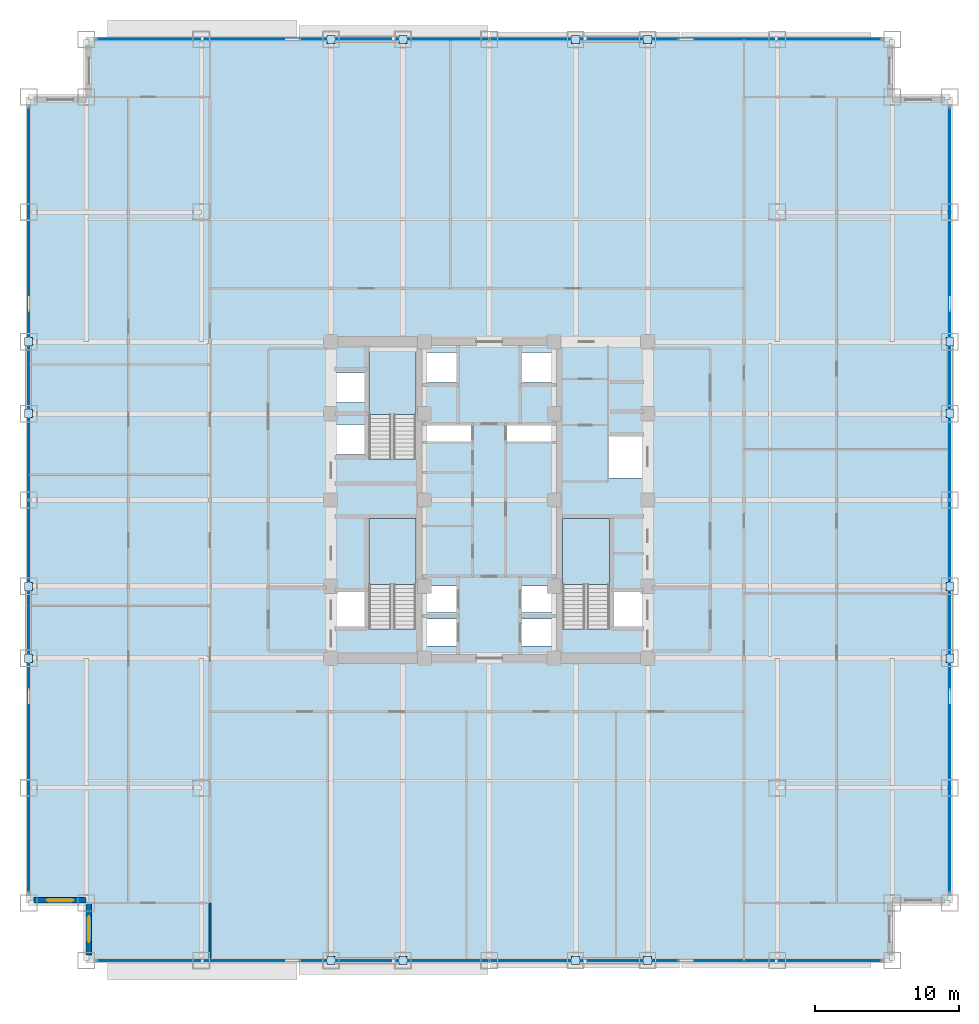
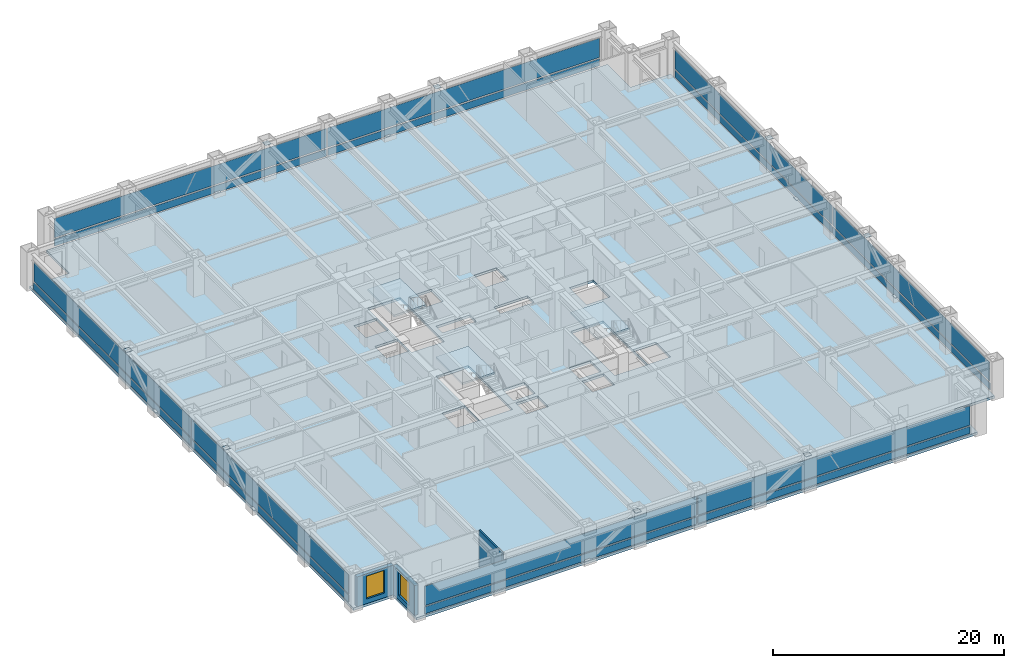
# One storey, part 22 of 32: 32 plates, 4 slabs, 3 walls, 2 windows, 2 openings, 7 elements without a shape of their own.
"""IFC4 building model written with IfcOpenShell, lengths in metres."""

from ifc_helpers import new_model, si_unit, direction, frame, frame_2d, origin, origin_2d, place, context, subcontext, project, spatial, polyline, rectangle, outline, extrude, source, transform, mapped, material, layer, layer_set, type_object, element, fill, aggregate, save


model = new_model("IFC4")

# Units and contexts
model_context = context("Model", 3, precision=1e-05, world=origin(), true_north=direction((0.0, 1.0)))
body_context = subcontext(model_context, "Body", "Model", "MODEL_VIEW")
ifc_project = project(units=[si_unit("LENGTHUNIT", "METRE"), si_unit("AREAUNIT", "SQUARE_METRE"), si_unit("VOLUMEUNIT", "CUBIC_METRE"), si_unit("PLANEANGLEUNIT", "RADIAN"), si_unit("MASSUNIT", "GRAM", prefix="KILO")], contexts=[model_context])

# Site, building, storey
site_placement = place(None, origin())
site = spatial("IfcSite", under=ifc_project, at=site_placement, CompositionType="ELEMENT")
building_placement = place(site_placement, origin())
building = spatial("IfcBuilding", under=site, at=building_placement, Name="Khorayat Bourse Tower", CompositionType="ELEMENT")
storey_placement = place(building_placement, frame((0.0, 0.0, 132.39990234375)))
storey = spatial("IfcBuildingStorey", under=building, at=storey_placement, Name="L30", CompositionType="ELEMENT", Elevation=132.39990234375)

# Stair, slab
ifc_material_1 = material(Name="Concrete C40/50", Category="concrete")
stair_type = type_object("IfcStairType", Name="STR-CORE-1550", PredefinedType="HALF_TURN_STAIR", material=ifc_material_1)
stair_1_placement = place(storey_placement, origin())
stair_1 = element("IfcStair", 1, at=stair_1_placement, inside=storey, type_object=stair_type, Name="L30 Exit Stair ST-1", PredefinedType="HALF_TURN_STAIR")
ifc_layer_1 = layer(ifc_material_1, 0.199951171875)
ifc_layer_set_1 = layer_set([ifc_layer_1], Name="Concrete C40/50")
slab_type_1 = type_object("IfcSlabType", Name="SLB-LANDING-200", PredefinedType="LANDING", material=ifc_layer_set_1)
slab_1_placement = place(storey_placement, frame((0.0, 0.0, 1.85009765625)))
slab_1 = element("IfcSlab", 2, at=slab_1_placement, type_object=slab_type_1, Name="ST-1 landing 1", PredefinedType="LANDING", context=body_context, shape_type="SweptSolid", body=[
    extrude(outline(polyline([(-5.10009765625, -5.8701171875), (-5.10009765625, -1.300048828125), (-8.35009765625, -1.300048828125), (-8.35009765625, -5.8701171875), (-5.10009765625, -5.8701171875)])), origin(), (0.0, 0.0, 1.0), 0.199951171875),
])
aggregate(stair_1, [slab_1])

stair_2_placement = place(storey_placement, origin())
stair_2 = element("IfcStair", 3, at=stair_2_placement, inside=storey, type_object=stair_type, Name="L30 Exit Stair ST-2", PredefinedType="HALF_TURN_STAIR")
slab_2_placement = place(storey_placement, frame((0.0, 0.0, 1.85009765625)))
slab_2 = element("IfcSlab", 4, at=slab_2_placement, type_object=slab_type_1, Name="ST-2 landing 1", PredefinedType="LANDING", context=body_context, shape_type="SweptSolid", body=[
    extrude(outline(polyline([(-5.10009765625, 5.929931640625), (-5.10009765625, 10.5), (-8.35009765625, 10.5), (-8.35009765625, 5.929931640625), (-5.10009765625, 5.929931640625)])), origin(), (0.0, 0.0, 1.0), 0.199951171875),
])
aggregate(stair_2, [slab_2])

stair_3_placement = place(storey_placement, origin())
stair_3 = element("IfcStair", 5, at=stair_3_placement, inside=storey, type_object=stair_type, Name="L30 Exit Stair ST-3", PredefinedType="HALF_TURN_STAIR")
slab_3_placement = place(storey_placement, frame((0.0, 0.0, 1.85009765625)))
slab_3 = element("IfcSlab", 6, at=slab_3_placement, type_object=slab_type_1, Name="ST-3 landing 1", PredefinedType="LANDING", context=body_context, shape_type="SweptSolid", body=[
    extrude(outline(polyline([(8.35009765625, -5.8701171875), (8.35009765625, -1.300048828125), (5.10009765625, -1.300048828125), (5.10009765625, -5.8701171875), (8.35009765625, -5.8701171875)])), origin(), (0.0, 0.0, 1.0), 0.199951171875),
])
aggregate(stair_3, [slab_3])

# Slab
ifc_layer_2 = layer(ifc_material_1, 0.260009765625)
ifc_layer_set_2 = layer_set([ifc_layer_2], Name="Concrete C40/50")
slab_type_2 = type_object("IfcSlabType", Name="SLB-TRADE-260", PredefinedType="FLOOR", material=ifc_layer_set_2)
slab_4_placement = place(storey_placement, frame((0.0, 0.0, -0.260009765625)))
element("IfcSlab", 7, at=slab_4_placement, inside=storey, type_object=slab_type_2, Name="L30 Main Floor Slab", PredefinedType="FLOOR", context=body_context, shape_type="SweptSolid", body=[
    extrude(outline(polyline([(-28.0, -32.0), (28.0, -32.0), (28.0, -28.0), (32.0, -28.0), (32.0, 28.0), (28.0, 28.0), (28.0, 32.0), (-28.0, 32.0), (-28.0, 28.0), (-32.0, 28.0), (-32.0, -28.0), (-28.0, -28.0), (-28.0, -32.0)]), holes=[polyline([(-8.35009765625, -8.945068359375), (-5.10009765625, -8.945068359375), (-5.10009765625, -1.300048828125), (-8.35009765625, -1.300048828125), (-8.35009765625, -8.945068359375)]), polyline([(-8.35009765625, 2.85498046875), (-5.10009765625, 2.85498046875), (-5.10009765625, 10.5), (-8.35009765625, 10.5), (-8.35009765625, 2.85498046875)]), polyline([(5.10009765625, -8.945068359375), (8.35009765625, -8.945068359375), (8.35009765625, -1.300048828125), (5.10009765625, -1.300048828125), (5.10009765625, -8.945068359375)]), polyline([(-4.3798828125, -10.1298828125), (-2.219970703125, -10.1298828125), (-2.219970703125, -8.27001953125), (-4.3798828125, -8.27001953125), (-4.3798828125, -10.1298828125)]), polyline([(2.219970703125, -10.1298828125), (4.3798828125, -10.1298828125), (4.3798828125, -8.27001953125), (2.219970703125, -8.27001953125), (2.219970703125, -10.1298828125)]), polyline([(-4.3798828125, -7.830078125), (-2.219970703125, -7.830078125), (-2.219970703125, -5.969970703125), (-4.3798828125, -5.969970703125), (-4.3798828125, -7.830078125)]), polyline([(2.219970703125, -7.830078125), (4.3798828125, -7.830078125), (4.3798828125, -5.969970703125), (2.219970703125, -5.969970703125), (2.219970703125, -7.830078125)]), polyline([(-4.3798828125, 8.169921875), (-2.1201171875, 8.169921875), (-2.1201171875, 10.22998046875), (-4.3798828125, 10.22998046875), (-4.3798828125, 8.169921875)]), polyline([(2.1201171875, 8.169921875), (4.3798828125, 8.169921875), (4.3798828125, 10.22998046875), (2.1201171875, 10.22998046875), (2.1201171875, 8.169921875)]), polyline([(-10.679931640625, 3.169921875), (-8.419921875, 3.169921875), (-8.419921875, 5.22998046875), (-10.679931640625, 5.22998046875), (-10.679931640625, 3.169921875)]), polyline([(-10.679931640625, 6.77001953125), (-8.419921875, 6.77001953125), (-8.419921875, 8.830078125), (-10.679931640625, 8.830078125), (-10.679931640625, 6.77001953125)]), polyline([(-10.679931640625, -8.929931640625), (-8.419921875, -8.929931640625), (-8.419921875, -6.3701171875), (-10.679931640625, -6.3701171875), (-10.679931640625, -8.929931640625)]), polyline([(8.419921875, -8.929931640625), (10.679931640625, -8.929931640625), (10.679931640625, -6.3701171875), (8.419921875, -6.3701171875), (8.419921875, -8.929931640625)]), polyline([(8.320068359375, 1.52001953125), (10.679931640625, 1.52001953125), (10.679931640625, 4.47998046875), (8.320068359375, 4.47998046875), (8.320068359375, 1.52001953125)]), polyline([(-4.56005859375, 4.080078125), (-1.18994140625, 4.080078125), (-1.18994140625, 5.219970703125), (-4.56005859375, 5.219970703125), (-4.56005859375, 4.080078125)]), polyline([(1.18994140625, 4.080078125), (4.56005859375, 4.080078125), (4.56005859375, 5.219970703125), (1.18994140625, 5.219970703125), (1.18994140625, 4.080078125)])]), origin(), (0.0, 0.0, 1.0), 0.260009765625),
])

# Plates
ifc_material_2 = material(Name="Steel EN 10025-2 S355J2", Category="steel")
ifc_layer_3 = layer(ifc_material_2, 0.02490234375)
ifc_layer_set_3 = layer_set([ifc_layer_3], Name="Steel EN 10025-2 S355J2")
plate_type_1 = type_object("IfcPlateType", Name="PLT-ENDCAP-25", PredefinedType="SHEET", material=ifc_layer_set_3)
shared_shape_1 = source(origin(), body_context, "Body", "SweptSolid", [
    extrude(rectangle(XDim=0.56005859375, YDim=0.56005859375, at=origin_2d()), origin(), (0.0, 0.0, 1.0), 0.02490234375),
])
for number, where, z_axis, x_axis, name in (
    (8, (-11.0, -32.0, 0.237548828125), (0.0, 0.0, 1.0), (1.0, 0.0, 0.0), "L30 Perimeter Brace End Plate 001"),
    (9, (-6.0, -32.0, 3.57763671875), (0.0, 0.0, 1.0), (1.0, 0.0, 0.0), "L30 Perimeter Brace End Plate 002"),
    (10, (6.0, -32.0, 0.237548828125), (0.0, 0.0, 1.0), (1.0, 0.0, 0.0), "L30 Perimeter Brace End Plate 003"),
    (11, (11.0, -32.0, 3.57763671875), (0.0, 0.0, 1.0), (1.0, 0.0, 0.0), "L30 Perimeter Brace End Plate 004"),
    (12, (-11.0, 32.0, 0.237548828125), (0.0, 0.0, 1.0), (1.0, 0.0, 0.0), "L30 Perimeter Brace End Plate 005"),
    (13, (-6.0, 32.0, 3.57763671875), (0.0, 0.0, 1.0), (1.0, 0.0, 0.0), "L30 Perimeter Brace End Plate 006"),
    (14, (6.0, 32.0, 0.237548828125), (0.0, 0.0, 1.0), (1.0, 0.0, 0.0), "L30 Perimeter Brace End Plate 007"),
    (15, (11.0, 32.0, 3.57763671875), (0.0, 0.0, 1.0), (1.0, 0.0, 0.0), "L30 Perimeter Brace End Plate 008"),
    (16, (-32.0, -11.0, 0.237548828125), (0.0, 0.0, 1.0), (1.0, 0.0, 0.0), "L30 Perimeter Brace End Plate 009"),
    (17, (-32.0, -6.0, 3.57763671875), (0.0, 0.0, 1.0), (1.0, 0.0, 0.0), "L30 Perimeter Brace End Plate 010"),
    (18, (-32.0, 6.0, 0.237548828125), (0.0, 0.0, 1.0), (1.0, 0.0, 0.0), "L30 Perimeter Brace End Plate 011"),
    (19, (-32.0, 11.0, 3.57763671875), (0.0, 0.0, 1.0), (1.0, 0.0, 0.0), "L30 Perimeter Brace End Plate 012"),
    (20, (32.0, -11.0, 0.237548828125), (0.0, 0.0, 1.0), (1.0, 0.0, 0.0), "L30 Perimeter Brace End Plate 013"),
    (21, (32.0, -6.0, 3.57763671875), (0.0, 0.0, 1.0), (1.0, 0.0, 0.0), "L30 Perimeter Brace End Plate 014"),
    (22, (32.0, 6.0, 0.237548828125), (0.0, 0.0, 1.0), (1.0, 0.0, 0.0), "L30 Perimeter Brace End Plate 015"),
    (23, (32.0, 11.0, 3.57763671875), (0.0, 0.0, 1.0), (1.0, 0.0, 0.0), "L30 Perimeter Brace End Plate 016"),
):
    element("IfcPlate", number, at=place(storey_placement, frame(where, z_axis=z_axis, x_axis=x_axis)), inside=storey, type_object=plate_type_1, Name=name, PredefinedType="SHEET", context=body_context, shape_type="MappedRepresentation", body=[
        mapped(shared_shape_1, transform((0.0, 0.0, 0.0), scale=1.0)),
    ])

# Curtain wall, plates
ifc_material_3 = material(Name="Aluminium EN AW-6063 T6", Category="aluminium")
curtain_wall_type = type_object("IfcCurtainWallType", Name="CW-SYS-02", PredefinedType="NOTDEFINED", material=ifc_material_3)
curtain_wall_1_placement = place(storey_placement, origin())
curtain_wall_1 = element("IfcCurtainWall", 24, at=curtain_wall_1_placement, inside=storey, type_object=curtain_wall_type, Name="L30 Curtain Wall CW-L30-S1", PredefinedType="NOTDEFINED")
ifc_material_4 = material(Name="Honed desert limestone insulated spandrel", Category="masonry")
ifc_layer_4 = layer(ifc_material_4, 0.06494140625)
ifc_layer_set_4 = layer_set([ifc_layer_4], Name="Honed desert limestone insulated spandrel")
plate_type_2 = type_object("IfcPlateType", Name="CWP-SPAND-03", PredefinedType="CURTAIN_PANEL", material=ifc_layer_set_4)
shared_shape_2 = source(origin(), body_context, "Body", "SweptSolid", [
    extrude(rectangle(XDim=27.139892578125, YDim=0.06494140625, at=origin_2d()), origin(), (0.0, 0.0, 1.0), 0.739990234375),
])
plate_1_placement = place(storey_placement, frame((-13.639892578125, -32.0, 0.14013671875), z_axis=(0.0, 0.0, 1.0), x_axis=(1.0, 0.0, 0.0)))
plate_1 = element("IfcPlate", 25, at=plate_1_placement, type_object=plate_type_2, Name="CW-L30-S1 Spandrel Panel 1-1", PredefinedType="CURTAIN_PANEL", context=body_context, shape_type="MappedRepresentation", body=[
    mapped(shared_shape_2, transform((0.0, 0.0, 0.0), scale=1.0)),
])
plate_2_placement = place(storey_placement, frame((13.639892578125, -32.0, 0.14013671875), z_axis=(0.0, 0.0, 1.0), x_axis=(1.0, 0.0, 0.0)))
plate_2 = element("IfcPlate", 26, at=plate_2_placement, type_object=plate_type_2, Name="CW-L30-S1 Spandrel Panel 2-1", PredefinedType="CURTAIN_PANEL", context=body_context, shape_type="MappedRepresentation", body=[
    mapped(shared_shape_2, transform((0.0, 0.0, 0.0), scale=1.0)),
])

curtain_wall_2_placement = place(storey_placement, origin())
curtain_wall_2 = element("IfcCurtainWall", 27, at=curtain_wall_2_placement, inside=storey, type_object=curtain_wall_type, Name="L30 Curtain Wall CW-L30-N1", PredefinedType="NOTDEFINED")
plate_3_placement = place(storey_placement, frame((-13.639892578125, 32.0, 0.14013671875), z_axis=(0.0, 0.0, 1.0), x_axis=(1.0, 0.0, 0.0)))
plate_3 = element("IfcPlate", 28, at=plate_3_placement, type_object=plate_type_2, Name="CW-L30-N1 Spandrel Panel 1-1", PredefinedType="CURTAIN_PANEL", context=body_context, shape_type="MappedRepresentation", body=[
    mapped(shared_shape_2, transform((0.0, 0.0, 0.0), scale=1.0)),
])
plate_4_placement = place(storey_placement, frame((13.639892578125, 32.0, 0.14013671875), z_axis=(0.0, 0.0, 1.0), x_axis=(1.0, 0.0, 0.0)))
plate_4 = element("IfcPlate", 29, at=plate_4_placement, type_object=plate_type_2, Name="CW-L30-N1 Spandrel Panel 2-1", PredefinedType="CURTAIN_PANEL", context=body_context, shape_type="MappedRepresentation", body=[
    mapped(shared_shape_2, transform((0.0, 0.0, 0.0), scale=1.0)),
])

curtain_wall_3_placement = place(storey_placement, origin())
curtain_wall_3 = element("IfcCurtainWall", 30, at=curtain_wall_3_placement, inside=storey, type_object=curtain_wall_type, Name="L30 Curtain Wall CW-L30-W1", PredefinedType="NOTDEFINED")
plate_5_placement = place(storey_placement, frame((-32.0, -13.639892578125, 0.14013671875), z_axis=(0.0, 0.0, 1.0), x_axis=(0.0, 1.0, 0.0)))
plate_5 = element("IfcPlate", 31, at=plate_5_placement, type_object=plate_type_2, Name="CW-L30-W1 Spandrel Panel 1-1", PredefinedType="CURTAIN_PANEL", context=body_context, shape_type="MappedRepresentation", body=[
    mapped(shared_shape_2, transform((0.0, 0.0, 0.0), scale=1.0)),
])
plate_6_placement = place(storey_placement, frame((-32.0, 13.639892578125, 0.14013671875), z_axis=(0.0, 0.0, 1.0), x_axis=(0.0, 1.0, 0.0)))
plate_6 = element("IfcPlate", 32, at=plate_6_placement, type_object=plate_type_2, Name="CW-L30-W1 Spandrel Panel 2-1", PredefinedType="CURTAIN_PANEL", context=body_context, shape_type="MappedRepresentation", body=[
    mapped(shared_shape_2, transform((0.0, 0.0, 0.0), scale=1.0)),
])

curtain_wall_4_placement = place(storey_placement, origin())
curtain_wall_4 = element("IfcCurtainWall", 33, at=curtain_wall_4_placement, inside=storey, type_object=curtain_wall_type, Name="L30 Curtain Wall CW-L30-E1", PredefinedType="NOTDEFINED")
plate_7_placement = place(storey_placement, frame((32.0, -13.639892578125, 0.14013671875), z_axis=(0.0, 0.0, 1.0), x_axis=(0.0, 1.0, 0.0)))
plate_7 = element("IfcPlate", 34, at=plate_7_placement, type_object=plate_type_2, Name="CW-L30-E1 Spandrel Panel 1-1", PredefinedType="CURTAIN_PANEL", context=body_context, shape_type="MappedRepresentation", body=[
    mapped(shared_shape_2, transform((0.0, 0.0, 0.0), scale=1.0)),
])
plate_8_placement = place(storey_placement, frame((32.0, 13.639892578125, 0.14013671875), z_axis=(0.0, 0.0, 1.0), x_axis=(0.0, 1.0, 0.0)))
plate_8 = element("IfcPlate", 35, at=plate_8_placement, type_object=plate_type_2, Name="CW-L30-E1 Spandrel Panel 2-1", PredefinedType="CURTAIN_PANEL", context=body_context, shape_type="MappedRepresentation", body=[
    mapped(shared_shape_2, transform((0.0, 0.0, 0.0), scale=1.0)),
])

# Plate
ifc_material_5 = material(Name="Low-E solar-control laminated double glazing", Category="glass")
ifc_layer_5 = layer(ifc_material_5, 0.0419921875)
ifc_layer_set_5 = layer_set([ifc_layer_5], Name="Low-E solar-control laminated double glazing")
plate_type_3 = type_object("IfcPlateType", Name="CWP-FACET-02", PredefinedType="CURTAIN_PANEL", material=ifc_layer_set_5)
shared_shape_3 = source(origin(), body_context, "Body", "SweptSolid", [
    extrude(rectangle(XDim=27.139892578125, YDim=0.0419921875, at=origin_2d()), origin(), (0.0, 0.0, 1.0), 2.030029296875),
])
plate_9_placement = place(storey_placement, frame((-13.639892578125, -32.0, 1.02001953125), z_axis=(0.0, 0.0, 1.0), x_axis=(1.0, 0.0, 0.0)))
plate_9 = element("IfcPlate", 36, at=plate_9_placement, type_object=plate_type_3, Name="CW-L30-S1 Vision Panel 1-2", PredefinedType="CURTAIN_PANEL", context=body_context, shape_type="MappedRepresentation", body=[
    mapped(shared_shape_3, transform((0.0, 0.0, 0.0), scale=1.0)),
])

plate_10_placement = place(storey_placement, frame((13.639892578125, -32.0, 1.02001953125), z_axis=(0.0, 0.0, 1.0), x_axis=(1.0, 0.0, 0.0)))
plate_10 = element("IfcPlate", 37, at=plate_10_placement, type_object=plate_type_3, Name="CW-L30-S1 Vision Panel 2-2", PredefinedType="CURTAIN_PANEL", context=body_context, shape_type="MappedRepresentation", body=[
    mapped(shared_shape_3, transform((0.0, 0.0, 0.0), scale=1.0)),
])

aggregate(curtain_wall_1, [plate_1, plate_9, plate_2, plate_10])

plate_11_placement = place(storey_placement, frame((-13.639892578125, 32.0, 1.02001953125), z_axis=(0.0, 0.0, 1.0), x_axis=(1.0, 0.0, 0.0)))
plate_11 = element("IfcPlate", 38, at=plate_11_placement, type_object=plate_type_3, Name="CW-L30-N1 Vision Panel 1-2", PredefinedType="CURTAIN_PANEL", context=body_context, shape_type="MappedRepresentation", body=[
    mapped(shared_shape_3, transform((0.0, 0.0, 0.0), scale=1.0)),
])

plate_12_placement = place(storey_placement, frame((13.639892578125, 32.0, 1.02001953125), z_axis=(0.0, 0.0, 1.0), x_axis=(1.0, 0.0, 0.0)))
plate_12 = element("IfcPlate", 39, at=plate_12_placement, type_object=plate_type_3, Name="CW-L30-N1 Vision Panel 2-2", PredefinedType="CURTAIN_PANEL", context=body_context, shape_type="MappedRepresentation", body=[
    mapped(shared_shape_3, transform((0.0, 0.0, 0.0), scale=1.0)),
])

aggregate(curtain_wall_2, [plate_3, plate_11, plate_4, plate_12])

plate_13_placement = place(storey_placement, frame((-32.0, -13.639892578125, 1.02001953125), z_axis=(0.0, 0.0, 1.0), x_axis=(0.0, 1.0, 0.0)))
plate_13 = element("IfcPlate", 40, at=plate_13_placement, type_object=plate_type_3, Name="CW-L30-W1 Vision Panel 1-2", PredefinedType="CURTAIN_PANEL", context=body_context, shape_type="MappedRepresentation", body=[
    mapped(shared_shape_3, transform((0.0, 0.0, 0.0), scale=1.0)),
])

plate_14_placement = place(storey_placement, frame((-32.0, 13.639892578125, 1.02001953125), z_axis=(0.0, 0.0, 1.0), x_axis=(0.0, 1.0, 0.0)))
plate_14 = element("IfcPlate", 41, at=plate_14_placement, type_object=plate_type_3, Name="CW-L30-W1 Vision Panel 2-2", PredefinedType="CURTAIN_PANEL", context=body_context, shape_type="MappedRepresentation", body=[
    mapped(shared_shape_3, transform((0.0, 0.0, 0.0), scale=1.0)),
])

aggregate(curtain_wall_3, [plate_5, plate_13, plate_6, plate_14])

plate_15_placement = place(storey_placement, frame((32.0, -13.639892578125, 1.02001953125), z_axis=(0.0, 0.0, 1.0), x_axis=(0.0, 1.0, 0.0)))
plate_15 = element("IfcPlate", 42, at=plate_15_placement, type_object=plate_type_3, Name="CW-L30-E1 Vision Panel 1-2", PredefinedType="CURTAIN_PANEL", context=body_context, shape_type="MappedRepresentation", body=[
    mapped(shared_shape_3, transform((0.0, 0.0, 0.0), scale=1.0)),
])

plate_16_placement = place(storey_placement, frame((32.0, 13.639892578125, 1.02001953125), z_axis=(0.0, 0.0, 1.0), x_axis=(0.0, 1.0, 0.0)))
plate_16 = element("IfcPlate", 43, at=plate_16_placement, type_object=plate_type_3, Name="CW-L30-E1 Vision Panel 2-2", PredefinedType="CURTAIN_PANEL", context=body_context, shape_type="MappedRepresentation", body=[
    mapped(shared_shape_3, transform((0.0, 0.0, 0.0), scale=1.0)),
])

aggregate(curtain_wall_4, [plate_7, plate_15, plate_8, plate_16])

# Wall, opening, window
ifc_material_6 = material(Name="Precast concrete C45/55", Category="concrete")
ifc_layer_6 = layer(ifc_material_6, 0.3798828125)
ifc_layer_set_6 = layer_set([ifc_layer_6], Name="Precast concrete C45/55")
wall_type_1 = type_object("IfcWallType", Name="WAL-EXT-STONE-380", PredefinedType="STANDARD", material=ifc_layer_set_6)
shared_shape_4 = source(origin(), body_context, "Body", "SweptSolid", [
    extrude(rectangle(XDim=3.6201171875, YDim=0.3798828125, at=frame_2d((1.81005859375, 0.0))), origin(), (0.0, 0.0, 1.0), 3.14501953125),
])
wall_1_placement = place(storey_placement, frame((-28.0, -27.81005859375, 0.0), z_axis=(0.0, 0.0, 1.0), x_axis=(-1.0, 0.0, 0.0)))
wall_1 = element("IfcWall", 44, at=wall_1_placement, inside=storey, type_object=wall_type_1, Name="L30 Re-Entrant Notch Limestone Wall SW-H", PredefinedType="STANDARD", context=body_context, shape_type="MappedRepresentation", body=[
    mapped(shared_shape_4, transform((0.0, 0.0, 0.0), scale=1.0)),
])
shared_shape_5 = source(origin(), body_context, "Body", "SweptSolid", [
    extrude(rectangle(XDim=1.800048828125, YDim=2.39990234375, at=frame_2d((0.89990234375, 1.199951171875))), frame((0.0, 0.199951171875, 0.0), z_axis=(0.0, -1.0, 0.0), x_axis=(1.0, 0.0, 0.0)), (0.0, 0.0, 1.0), 0.39990234375),
])
opening_1_placement = place(wall_1_placement, frame((0.909912109375, 0.0, 0.5)))
opening_1 = element("IfcOpeningElement", 45, at=opening_1_placement, cuts=wall_1, Name="Opening WN-04", PredefinedType="OPENING", context=body_context, shape_type="MappedRepresentation", body=[
    mapped(shared_shape_5, transform((0.0, 0.0, 0.0), scale=1.0)),
])
ifc_material_7 = material(Name="Low-E acoustic laminated double glazing", Category="glass")
window_type = type_object("IfcWindowType", Name="WIN-NOTCH-1800x2400", PartitioningType="SINGLE_PANEL", PredefinedType="WINDOW", material=ifc_material_7)
shared_shape_6 = source(origin(), body_context, "Body", "SweptSolid", [
    extrude(rectangle(XDim=1.800048828125, YDim=2.39990234375, at=frame_2d((0.89990234375, 1.199951171875))), frame((0.0, 0.030029296875, 0.0), z_axis=(0.0, -1.0, 0.0), x_axis=(1.0, 0.0, 0.0)), (0.0, 0.0, 1.0), 0.06005859375),
])
window_1_placement = place(opening_1_placement, origin())
window_1 = element("IfcWindow", 46, at=window_1_placement, inside=storey, type_object=window_type, Name="L30 Facade Window 1", OverallHeight=2.39990234375, OverallWidth=1.800048828125, PartitioningType="SINGLE_PANEL", PredefinedType="WINDOW", context=body_context, shape_type="MappedRepresentation", body=[
    mapped(shared_shape_6, transform((0.0, 0.0, 0.0), scale=1.0)),
])
fill(opening_1, window_1)

wall_2_placement = place(storey_placement, frame((-27.81005859375, -31.6201171875, 0.0), z_axis=(0.0, 0.0, 1.0), x_axis=(0.0, 1.0, 0.0)))
wall_2 = element("IfcWall", 47, at=wall_2_placement, inside=storey, type_object=wall_type_1, Name="L30 Re-Entrant Notch Limestone Wall SW-V", PredefinedType="STANDARD", context=body_context, shape_type="MappedRepresentation", body=[
    mapped(shared_shape_4, transform((0.0, 0.0, 0.0), scale=1.0)),
])
opening_2_placement = place(wall_2_placement, frame((0.909912109375, 0.0, 0.5)))
opening_2 = element("IfcOpeningElement", 48, at=opening_2_placement, cuts=wall_2, Name="Opening WN-04", PredefinedType="OPENING", context=body_context, shape_type="MappedRepresentation", body=[
    mapped(shared_shape_5, transform((0.0, 0.0, 0.0), scale=1.0)),
])
window_2_placement = place(opening_2_placement, origin())
window_2 = element("IfcWindow", 49, at=window_2_placement, inside=storey, type_object=window_type, Name="L30 Facade Window 1", OverallHeight=2.39990234375, OverallWidth=1.800048828125, PartitioningType="SINGLE_PANEL", PredefinedType="WINDOW", context=body_context, shape_type="MappedRepresentation", body=[
    mapped(shared_shape_6, transform((0.0, 0.0, 0.0), scale=1.0)),
])
fill(opening_2, window_2)

# Wall
ifc_material_8 = material(Name="Gypsum plasterboard twin-frame partition")
ifc_layer_7 = layer(ifc_material_8, 0.14990234375)
ifc_layer_set_7 = layer_set([ifc_layer_7], Name="Gypsum plasterboard twin-frame partition")
wall_type_2 = type_object("IfcWallType", Name="WAL-PART-SUITE-150", PredefinedType="PARTITIONING", material=ifc_layer_set_7)
shared_shape_7 = source(origin(), body_context, "Body", "SweptSolid", [
    extrude(rectangle(XDim=4.0, YDim=0.14990234375, at=frame_2d((2.0, 0.0))), origin(), (0.0, 0.0, 1.0), 3.840087890625),
])
wall_3_placement = place(storey_placement, frame((-19.39990234375, -32.0, 0.0), z_axis=(0.0, 0.0, 1.0), x_axis=(0.0, 1.0, 0.0)))
element("IfcWall", 50, at=wall_3_placement, inside=storey, type_object=wall_type_2, Name="L30 Partition WAL-L30-SCW-END", PredefinedType="PARTITIONING", context=body_context, shape_type="MappedRepresentation", body=[
    mapped(shared_shape_7, transform((0.0, 0.0, 0.0), scale=1.0)),
])

save(model, "model.ifc")
